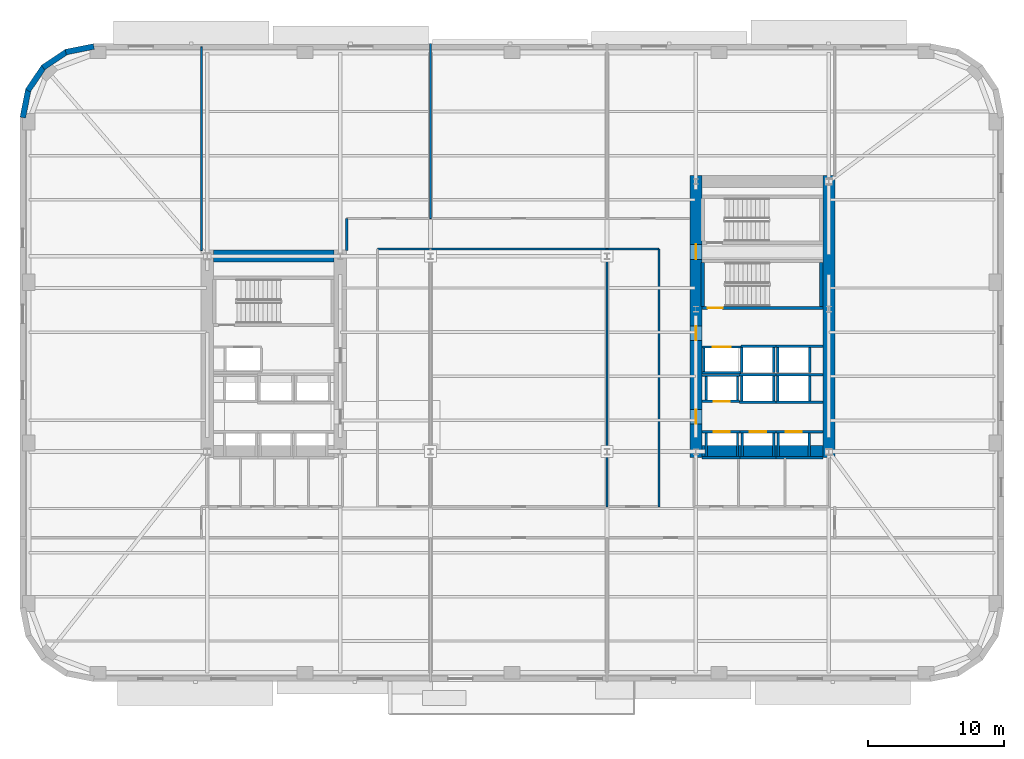
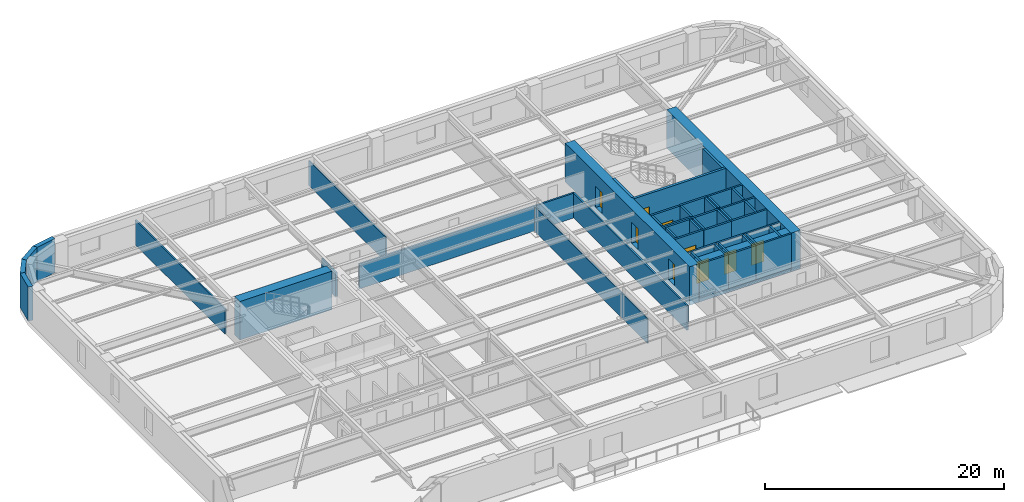
# One storey, part 6 of 15: 50 walls, 9 doors, 9 openings.
"""IFC4 building model written with IfcOpenShell, lengths in metres."""

from ifc_helpers import new_model, si_unit, direction, frame, frame_2d, origin, place, context, subcontext, project, spatial, rectangle, extrude, material, layer, layer_set, type_object, element, fill, save


model = new_model("IFC4")

# Units and contexts
model_context = context("Model", 3, precision=1e-05, world=origin(), true_north=direction((0.0, 1.0)))
body_context = subcontext(model_context, "Body", "Model", "MODEL_VIEW")
ifc_project = project(units=[si_unit("LENGTHUNIT", "METRE"), si_unit("AREAUNIT", "SQUARE_METRE"), si_unit("VOLUMEUNIT", "CUBIC_METRE"), si_unit("PLANEANGLEUNIT", "RADIAN"), si_unit("MASSUNIT", "GRAM", prefix="KILO")], contexts=[model_context])

# Site, building, storey
site_placement = place(None, origin())
site = spatial("IfcSite", under=ifc_project, at=site_placement, CompositionType="ELEMENT")
building_placement = place(site_placement, origin())
building = spatial("IfcBuilding", under=site, at=building_placement, Name="Kolvaren Arena Tower", CompositionType="ELEMENT")
storey_placement = place(building_placement, frame((0.0, 0.0, 42.0)))
storey = spatial("IfcBuildingStorey", under=building, at=storey_placement, Name="L07", CompositionType="ELEMENT", Elevation=42.0)

# Walls
ifc_material_1 = material(Name="Gypsum board acoustic assembly", Category="gypsum")
ifc_layer_1 = layer(ifc_material_1, 0.159912109375)
ifc_layer_set_1 = layer_set([ifc_layer_1], Name="Gypsum board acoustic assembly")
wall_type_1 = type_object("IfcWallType", Name="CORR-160", PredefinedType="PARTITIONING", material=ifc_layer_set_1)
wall_1_placement = place(storey_placement, frame((24.820068359375, 34.25, 0.0), z_axis=(0.0, 0.0, 1.0), x_axis=(0.0, 1.0, 0.0)))
element("IfcWall", 1, at=wall_1_placement, inside=storey, type_object=wall_type_1, Name="Interior Partition Wall (L07)", PredefinedType="PARTITIONING", context=body_context, shape_type="SweptSolid", body=[
    extrude(rectangle(XDim=2.3701171875, YDim=0.159912109375, at=frame_2d((1.18505859375, 0.0))), origin(), (0.0, 0.0, 1.0), 2.5400390625),
])
wall_2_placement = place(storey_placement, frame((27.080078125, 34.3798828125, 0.0), z_axis=(0.0, 0.0, 1.0), x_axis=(1.0, 0.0, 0.0)))
element("IfcWall", 2, at=wall_2_placement, inside=storey, type_object=wall_type_1, Name="Interior Partition Wall (L07)", PredefinedType="PARTITIONING", context=body_context, shape_type="SweptSolid", body=[
    extrude(rectangle(XDim=20.739990234375, YDim=0.159912109375, at=frame_2d((10.3701171875, 0.0))), origin(), (0.0, 0.0, 1.0), 2.5400390625),
])
wall_3_placement = place(storey_placement, frame((47.820068359375, 15.3798828125, 0.0), z_axis=(0.0, 0.0, 1.0), x_axis=(0.0, 1.0, 0.0)))
element("IfcWall", 3, at=wall_3_placement, inside=storey, type_object=wall_type_1, Name="Interior Partition Wall (L07)", PredefinedType="PARTITIONING", context=body_context, shape_type="SweptSolid", body=[
    extrude(rectangle(XDim=19.0, YDim=0.159912109375, at=frame_2d((9.5, 0.0))), origin(), (0.0, 0.0, 1.0), 2.5400390625),
])
ifc_material_2 = material(Name="Concrete 80 MPa", Category="concrete")
ifc_layer_2 = layer(ifc_material_2, 0.89990234375)
ifc_layer_set_2 = layer_set([ifc_layer_2], Name="Concrete 80 MPa")
wall_type_2 = type_object("IfcWallType", Name="CWALL-900", PredefinedType="SHEAR", material=ifc_layer_set_2)
wall_4_placement = place(storey_placement, frame((15.0, 33.85009765625, -0.449951171875), z_axis=(0.0, 0.0, 1.0), x_axis=(1.0, 0.0, 0.0)))
element("IfcWall", 4, at=wall_4_placement, inside=storey, type_object=wall_type_2, Name="Core Shear Wall WC-NORTH (L07)", PredefinedType="SHEAR", context=body_context, shape_type="SweptSolid", body=[
    extrude(rectangle(XDim=8.89990234375, YDim=0.89990234375, at=frame_2d((4.449951171875, 0.0))), origin(), (0.0, 0.0, 1.0), 3.929931640625),
])

# Wall, openings, doors
wall_5_placement = place(storey_placement, frame((50.550048828125, 19.0, -0.449951171875), z_axis=(0.0, 0.0, 1.0), x_axis=(0.0, 1.0, 0.0)))
wall_5 = element("IfcWall", 5, at=wall_5_placement, inside=storey, type_object=wall_type_2, Name="Core Shear Wall EC-WEST (L07)", PredefinedType="SHEAR", context=body_context, shape_type="SweptSolid", body=[
    extrude(rectangle(XDim=20.800048828125, YDim=0.89990234375, at=frame_2d((10.39990234375, 0.0))), origin(), (0.0, 0.0, 1.0), 3.929931640625),
])
opening_1_placement = place(wall_5_placement, frame((2.5, 0.0, 0.449951171875)))
opening_1 = element("IfcOpeningElement", 6, at=opening_1_placement, cuts=wall_5, Name="Opening D04", PredefinedType="OPENING", context=body_context, shape_type="SweptSolid", body=[
    extrude(rectangle(XDim=1.050048828125, YDim=2.14990234375, at=frame_2d((0.52490234375, 1.074951171875))), frame((0.0, 0.4599609375, 0.0), z_axis=(0.0, -1.0, 0.0), x_axis=(1.0, 0.0, 0.0)), (0.0, 0.0, 1.0), 0.919921875),
])
opening_2_placement = place(wall_5_placement, frame((8.64990234375, 0.0, 0.449951171875)))
opening_2 = element("IfcOpeningElement", 7, at=opening_2_placement, cuts=wall_5, Name="Opening D04", PredefinedType="OPENING", context=body_context, shape_type="SweptSolid", body=[
    extrude(rectangle(XDim=1.050048828125, YDim=2.14990234375, at=frame_2d((0.52490234375, 1.074951171875))), frame((0.0, 0.4599609375, 0.0), z_axis=(0.0, -1.0, 0.0), x_axis=(1.0, 0.0, 0.0)), (0.0, 0.0, 1.0), 0.919921875),
])
opening_3_placement = place(wall_5_placement, frame((14.6201171875, 0.0, 0.449951171875)))
opening_3 = element("IfcOpeningElement", 8, at=opening_3_placement, cuts=wall_5, Name="Opening D03", PredefinedType="OPENING", context=body_context, shape_type="SweptSolid", body=[
    extrude(rectangle(XDim=1.10009765625, YDim=2.14990234375, at=frame_2d((0.550048828125, 1.074951171875))), frame((0.0, 0.4599609375, 0.0), z_axis=(0.0, -1.0, 0.0), x_axis=(1.0, 0.0, 0.0)), (0.0, 0.0, 1.0), 0.919921875),
])
ifc_material_3 = material(Name="Fire-rated steel lobby door", Category="steel")
door_type_1 = type_object("IfcDoorType", Name="DOOR-FF-105", OperationType="NOTDEFINED", PredefinedType="DOOR", material=ifc_material_3)
door_1_placement = place(opening_1_placement, origin())
door_1 = element("IfcDoor", 9, at=door_1_placement, inside=storey, type_object=door_type_1, Name="East Lift Lobby Fire Door (L07)", OperationType="SINGLE_SWING_RIGHT", OverallHeight=2.14990234375, OverallWidth=1.050048828125, PredefinedType="DOOR", context=body_context, shape_type="SweptSolid", body=[
    extrude(rectangle(XDim=1.050048828125, YDim=2.14990234375, at=frame_2d((0.52490234375, 1.074951171875))), frame((0.0, 0.02490234375, 0.0), z_axis=(0.0, -1.0, 0.0), x_axis=(1.0, 0.0, 0.0)), (0.0, 0.0, 1.0), 0.050048828125),
])
fill(opening_1, door_1)
door_2_placement = place(opening_2_placement, origin())
door_2 = element("IfcDoor", 10, at=door_2_placement, inside=storey, type_object=door_type_1, Name="East Firefighter Vestibule Door (L07)", OperationType="SINGLE_SWING_LEFT", OverallHeight=2.14990234375, OverallWidth=1.050048828125, PredefinedType="DOOR", context=body_context, shape_type="SweptSolid", body=[
    extrude(rectangle(XDim=1.050048828125, YDim=2.14990234375, at=frame_2d((0.52490234375, 1.074951171875))), frame((0.0, 0.02490234375, 0.0), z_axis=(0.0, -1.0, 0.0), x_axis=(1.0, 0.0, 0.0)), (0.0, 0.0, 1.0), 0.050048828125),
])
fill(opening_2, door_2)
ifc_material_4 = material(Name="Fire-rated steel exit stair door", Category="steel")
door_type_2 = type_object("IfcDoorType", Name="DOOR-ST-110", OperationType="NOTDEFINED", PredefinedType="DOOR", material=ifc_material_4)
door_3_placement = place(opening_3_placement, origin())
door_3 = element("IfcDoor", 11, at=door_3_placement, inside=storey, type_object=door_type_2, Name="Stair ST-E2 Vestibule Fire Door (L07)", OperationType="SINGLE_SWING_LEFT", OverallHeight=2.14990234375, OverallWidth=1.10009765625, PredefinedType="DOOR", context=body_context, shape_type="SweptSolid", body=[
    extrude(rectangle(XDim=1.10009765625, YDim=2.14990234375, at=frame_2d((0.550048828125, 1.074951171875))), frame((0.0, 0.02490234375, 0.0), z_axis=(0.0, -1.0, 0.0), x_axis=(1.0, 0.0, 0.0)), (0.0, 0.0, 1.0), 0.050048828125),
])
fill(opening_3, door_3)

# Walls
wall_6_placement = place(storey_placement, frame((60.35009765625, 19.0, -0.449951171875), z_axis=(0.0, 0.0, 1.0), x_axis=(0.0, 1.0, 0.0)))
element("IfcWall", 12, at=wall_6_placement, inside=storey, type_object=wall_type_2, Name="Core Shear Wall EC-EAST (L07)", PredefinedType="SHEAR", context=body_context, shape_type="SweptSolid", body=[
    extrude(rectangle(XDim=20.800048828125, YDim=0.89990234375, at=frame_2d((10.39990234375, 0.0))), origin(), (0.0, 0.0, 1.0), 3.929931640625),
])
wall_7_placement = place(storey_placement, frame((51.0, 19.449951171875, -0.449951171875), z_axis=(0.0, 0.0, 1.0), x_axis=(1.0, 0.0, 0.0)))
element("IfcWall", 13, at=wall_7_placement, inside=storey, type_object=wall_type_2, Name="Core Shear Wall EC-SOUTH (L07)", PredefinedType="SHEAR", context=body_context, shape_type="SweptSolid", body=[
    extrude(rectangle(XDim=8.89990234375, YDim=0.89990234375, at=frame_2d((4.449951171875, 0.0))), origin(), (0.0, 0.0, 1.0), 3.929931640625),
])
ifc_material_5 = material(Name="Precast concrete C50/60", Category="concrete")
ifc_layer_3 = layer(ifc_material_5, 0.419921875)
ifc_layer_set_3 = layer_set([ifc_layer_3], Name="Precast concrete C50/60")
wall_type_3 = type_object("IfcWallType", Name="EXT-PIER1", PredefinedType="SOLIDWALL", material=ifc_layer_set_3)
for number, where, z_axis, x_axis, name in (
    (14, (4.12451171875, 48.8828125, 0.0), (0.0, 0.0, 1.0), (0.9807762837, 0.195135546048, 0.0), "Exterior Precast Masonry-Frame Wall (L07)"),
    (15, (2.4482421875, 47.743896484375, 0.0), (0.0, 0.0, 1.0), (0.831515102434, 0.555502146192, 0.0), "Exterior Precast Masonry-Frame Wall (L07)"),
    (16, (1.335693359375, 46.0498046875, 0.0), (0.0, 0.0, 1.0), (0.555502146192, 0.831515102434, 0.0), "Exterior Precast Masonry-Frame Wall (L07)"),
    (17, (0.9560546875, 44.05908203125, 0.0), (0.0, 0.0, 1.0), (0.195135546048, 0.9807762837, 0.0), "Exterior Precast Masonry-Frame Wall (L07)"),
):
    element("IfcWall", number, at=place(storey_placement, frame(where, z_axis=z_axis, x_axis=x_axis)), inside=storey, type_object=wall_type_3, Name=name, PredefinedType="SOLIDWALL", context=body_context, shape_type="SweptSolid", body=[
        extrude(rectangle(XDim=2.10693359375, YDim=0.419921875, at=frame_2d((1.053466796875, 0.0))), origin(), (0.0, 0.0, 1.0), 3.47998046875),
    ])
ifc_material_6 = material(Name="Gypsum board partition assembly", Category="gypsum")
ifc_layer_4 = layer(ifc_material_6, 0.114990234375)
ifc_layer_set_4 = layer_set([ifc_layer_4], Name="Gypsum board partition assembly")
wall_type_4 = type_object("IfcWallType", Name="PART-115", PredefinedType="PARTITIONING", material=ifc_layer_set_4)
wall_8_placement = place(storey_placement, frame((44.0, 15.3798828125, 0.0), z_axis=(0.0, 0.0, 1.0), x_axis=(0.0, 1.0, 0.0)))
element("IfcWall", 18, at=wall_8_placement, inside=storey, type_object=wall_type_4, Name="Interior Partition Wall (L07)", PredefinedType="PARTITIONING", context=body_context, shape_type="SweptSolid", body=[
    extrude(rectangle(XDim=19.0, YDim=0.114990234375, at=frame_2d((9.5, 0.0))), origin(), (0.0, 0.0, 1.0), 2.5400390625),
])
ifc_layer_5 = layer(ifc_material_6, 0.135009765625)
ifc_layer_set_5 = layer_set([ifc_layer_5], Name="Gypsum board partition assembly")
wall_type_5 = type_object("IfcWallType", Name="PART-135", PredefinedType="PARTITIONING", material=ifc_layer_set_5)
wall_9_placement = place(storey_placement, frame((31.0, 36.6201171875, 0.0), z_axis=(0.0, 0.0, 1.0), x_axis=(0.0, 1.0, 0.0)))
element("IfcWall", 19, at=wall_9_placement, inside=storey, type_object=wall_type_5, Name="Interior Partition Wall (L07)", PredefinedType="PARTITIONING", context=body_context, shape_type="SweptSolid", body=[
    extrude(rectangle(XDim=12.8798828125, YDim=0.135009765625, at=frame_2d((6.43994140625, 0.0))), origin(), (0.0, 0.0, 1.0), 2.5400390625),
])
wall_10_placement = place(storey_placement, frame((14.1201171875, 34.25, 0.0), z_axis=(0.0, 0.0, 1.0), x_axis=(0.0, 1.0, 0.0)))
element("IfcWall", 20, at=wall_10_placement, inside=storey, type_object=wall_type_5, Name="Interior Partition Wall (L07)", PredefinedType="PARTITIONING", context=body_context, shape_type="SweptSolid", body=[
    extrude(rectangle(XDim=15.010009765625, YDim=0.135009765625, at=frame_2d((7.5048828125, 0.0))), origin(), (0.0, 0.0, 1.0), 2.5400390625),
])

# Wall, opening, door
ifc_material_7 = material(Name="Concrete 45 MPa", Category="concrete")
ifc_layer_6 = layer(ifc_material_7, 0.25)
ifc_layer_set_6 = layer_set([ifc_layer_6], Name="Concrete 45 MPa")
wall_type_6 = type_object("IfcWallType", Name="SHAFT-250", PredefinedType="SOLIDWALL", material=ifc_layer_set_6)
wall_11_placement = place(storey_placement, frame((59.89990234375, 30.030029296875, 0.0), z_axis=(0.0, 0.0, 1.0), x_axis=(-1.0, 0.0, 0.0)))
wall_11 = element("IfcWall", 21, at=wall_11_placement, inside=storey, type_object=wall_type_6, Name="Core Shaft Wall (L07)", PredefinedType="SOLIDWALL", context=body_context, shape_type="SweptSolid", body=[
    extrude(rectangle(XDim=8.89990234375, YDim=0.239990234375, at=frame_2d((4.449951171875, 0.0))), origin(), (0.0, 0.0, 1.0), 3.47998046875),
])
opening_4_placement = place(wall_11_placement, frame((7.3798828125, 0.0, 0.0)))
opening_4 = element("IfcOpeningElement", 22, at=opening_4_placement, cuts=wall_11, Name="Opening D03", PredefinedType="OPENING", context=body_context, shape_type="SweptSolid", body=[
    extrude(rectangle(XDim=1.10009765625, YDim=2.14990234375, at=frame_2d((0.550048828125, 1.074951171875))), frame((0.0, 0.1298828125, 0.0), z_axis=(0.0, -1.0, 0.0), x_axis=(1.0, 0.0, 0.0)), (0.0, 0.0, 1.0), 0.260009765625),
])
door_4_placement = place(opening_4_placement, origin())
door_4 = element("IfcDoor", 23, at=door_4_placement, inside=storey, type_object=door_type_2, Name="Stair ST-E1 Fire Door (L07)", OperationType="SINGLE_SWING_LEFT", OverallHeight=2.14990234375, OverallWidth=1.10009765625, PredefinedType="DOOR", context=body_context, shape_type="SweptSolid", body=[
    extrude(rectangle(XDim=1.10009765625, YDim=2.14990234375, at=frame_2d((0.550048828125, 1.074951171875))), frame((0.0, 0.02490234375, 0.0), z_axis=(0.0, -1.0, 0.0), x_axis=(1.0, 0.0, 0.0)), (0.0, 0.0, 1.0), 0.050048828125),
])
fill(opening_4, door_4)

# Walls
for number, where, z_axis, x_axis, name in (
    (24, (51.06005859375, 30.14990234375, 0.0), (0.0, 0.0, 1.0), (0.0, 1.0, 0.0), "Core Shaft Wall (L07)"),
    (25, (59.780029296875, 30.14990234375, 0.0), (0.0, 0.0, 1.0), (0.0, 1.0, 0.0), "Core Shaft Wall (L07)"),
):
    element("IfcWall", number, at=place(storey_placement, frame(where, z_axis=z_axis, x_axis=x_axis)), inside=storey, type_object=wall_type_6, Name=name, PredefinedType="SOLIDWALL", context=body_context, shape_type="SweptSolid", body=[
        extrude(rectangle(XDim=3.22998046875, YDim=0.239990234375, at=frame_2d((1.614990234375, 0.0))), origin(), (0.0, 0.0, 1.0), 3.47998046875),
    ])

# Wall, opening, door
wall_12_placement = place(storey_placement, frame((51.0, 20.905029296875, 0.0), z_axis=(0.0, 0.0, 1.0), x_axis=(1.0, 0.0, 0.0)))
wall_12 = element("IfcWall", 26, at=wall_12_placement, inside=storey, type_object=wall_type_6, Name="Core Shaft Wall (L07)", PredefinedType="SOLIDWALL", context=body_context, shape_type="SweptSolid", body=[
    extrude(rectangle(XDim=2.7900390625, YDim=0.179931640625, at=frame_2d((1.39501953125, 0.0))), origin(), (0.0, 0.0, 1.0), 3.47998046875),
])
opening_5_placement = place(wall_12_placement, frame((0.860107421875, 0.0, 0.0)))
opening_5 = element("IfcOpeningElement", 27, at=opening_5_placement, cuts=wall_12, Name="Opening LD1", PredefinedType="OPENING", context=body_context, shape_type="SweptSolid", body=[
    extrude(rectangle(XDim=1.199951171875, YDim=2.199951171875, at=frame_2d((0.60009765625, 1.10009765625))), frame((0.0, 0.099853515625, 0.0), z_axis=(0.0, -1.0, 0.0), x_axis=(1.0, 0.0, 0.0)), (0.0, 0.0, 1.0), 0.199951171875),
])
ifc_material_8 = material(Name="Stainless steel passenger lift landing door", Category="steel")
door_type_3 = type_object("IfcDoorType", Name="DOOR-LD-120", OperationType="DOUBLE_DOOR_SLIDING", PredefinedType="DOOR", material=ifc_material_8)
door_5_placement = place(opening_5_placement, origin())
door_5 = element("IfcDoor", 28, at=door_5_placement, inside=storey, type_object=door_type_3, Name="Lift EL-LR1 Landing Door (L07)", OperationType="DOUBLE_DOOR_SLIDING", OverallHeight=2.199951171875, OverallWidth=1.199951171875, PredefinedType="DOOR", context=body_context, shape_type="SweptSolid", body=[
    extrude(rectangle(XDim=1.199951171875, YDim=2.199951171875, at=frame_2d((0.60009765625, 1.10009765625))), frame((0.0, 0.02490234375, 0.0), z_axis=(0.0, -1.0, 0.0), x_axis=(1.0, 0.0, 0.0)), (0.0, 0.0, 1.0), 0.050048828125),
])
fill(opening_5, door_5)

# Walls
wall_13_placement = place(storey_placement, frame((51.0, 18.9951171875, 0.0), z_axis=(0.0, 0.0, 1.0), x_axis=(1.0, 0.0, 0.0)))
element("IfcWall", 29, at=wall_13_placement, inside=storey, type_object=wall_type_6, Name="Core Shaft Wall (L07)", PredefinedType="SOLIDWALL", context=body_context, shape_type="SweptSolid", body=[
    extrude(rectangle(XDim=2.7900390625, YDim=0.179931640625, at=frame_2d((1.39501953125, 0.0))), origin(), (0.0, 0.0, 1.0), 3.47998046875),
])
for number, where, z_axis, x_axis, name in (
    (30, (51.304931640625, 19.0849609375, 0.0), (0.0, 0.0, 1.0), (0.0, 1.0, 0.0), "Core Shaft Wall (L07)"),
    (31, (53.614990234375, 19.0849609375, 0.0), (0.0, 0.0, 1.0), (0.0, 1.0, 0.0), "Core Shaft Wall (L07)"),
):
    element("IfcWall", number, at=place(storey_placement, frame(where, z_axis=z_axis, x_axis=x_axis)), inside=storey, type_object=wall_type_6, Name=name, PredefinedType="SOLIDWALL", context=body_context, shape_type="SweptSolid", body=[
        extrude(rectangle(XDim=1.72998046875, YDim=0.179931640625, at=frame_2d((0.864990234375, 0.0))), origin(), (0.0, 0.0, 1.0), 3.47998046875),
    ])

# Wall, opening, door
wall_14_placement = place(storey_placement, frame((53.7900390625, 20.905029296875, 0.0), z_axis=(0.0, 0.0, 1.0), x_axis=(1.0, 0.0, 0.0)))
wall_14 = element("IfcWall", 32, at=wall_14_placement, inside=storey, type_object=wall_type_6, Name="Core Shaft Wall (L07)", PredefinedType="SOLIDWALL", context=body_context, shape_type="SweptSolid", body=[
    extrude(rectangle(XDim=2.64990234375, YDim=0.179931640625, at=frame_2d((1.324951171875, 0.0))), origin(), (0.0, 0.0, 1.0), 3.47998046875),
])
opening_6_placement = place(wall_14_placement, frame((0.72998046875, 0.0, 0.0)))
opening_6 = element("IfcOpeningElement", 33, at=opening_6_placement, cuts=wall_14, Name="Opening LD1", PredefinedType="OPENING", context=body_context, shape_type="SweptSolid", body=[
    extrude(rectangle(XDim=1.199951171875, YDim=2.199951171875, at=frame_2d((0.60009765625, 1.10009765625))), frame((0.0, 0.099853515625, 0.0), z_axis=(0.0, -1.0, 0.0), x_axis=(1.0, 0.0, 0.0)), (0.0, 0.0, 1.0), 0.199951171875),
])
door_6_placement = place(opening_6_placement, origin())
door_6 = element("IfcDoor", 34, at=door_6_placement, inside=storey, type_object=door_type_3, Name="Lift EL-LR2 Landing Door (L07)", OperationType="DOUBLE_DOOR_SLIDING", OverallHeight=2.199951171875, OverallWidth=1.199951171875, PredefinedType="DOOR", context=body_context, shape_type="SweptSolid", body=[
    extrude(rectangle(XDim=1.199951171875, YDim=2.199951171875, at=frame_2d((0.60009765625, 1.10009765625))), frame((0.0, 0.02490234375, 0.0), z_axis=(0.0, -1.0, 0.0), x_axis=(1.0, 0.0, 0.0)), (0.0, 0.0, 1.0), 0.050048828125),
])
fill(opening_6, door_6)

# Walls
wall_15_placement = place(storey_placement, frame((53.7900390625, 18.9951171875, 0.0), z_axis=(0.0, 0.0, 1.0), x_axis=(1.0, 0.0, 0.0)))
element("IfcWall", 35, at=wall_15_placement, inside=storey, type_object=wall_type_6, Name="Core Shaft Wall (L07)", PredefinedType="SOLIDWALL", context=body_context, shape_type="SweptSolid", body=[
    extrude(rectangle(XDim=2.64990234375, YDim=0.179931640625, at=frame_2d((1.324951171875, 0.0))), origin(), (0.0, 0.0, 1.0), 3.47998046875),
])
for number, where, z_axis, x_axis, name in (
    (36, (53.965087890625, 19.0849609375, 0.0), (0.0, 0.0, 1.0), (0.0, 1.0, 0.0), "Core Shaft Wall (L07)"),
    (37, (56.27490234375, 19.0849609375, 0.0), (0.0, 0.0, 1.0), (0.0, 1.0, 0.0), "Core Shaft Wall (L07)"),
):
    element("IfcWall", number, at=place(storey_placement, frame(where, z_axis=z_axis, x_axis=x_axis)), inside=storey, type_object=wall_type_6, Name=name, PredefinedType="SOLIDWALL", context=body_context, shape_type="SweptSolid", body=[
        extrude(rectangle(XDim=1.72998046875, YDim=0.179931640625, at=frame_2d((0.864990234375, 0.0))), origin(), (0.0, 0.0, 1.0), 3.47998046875),
    ])

# Wall, opening, door
wall_16_placement = place(storey_placement, frame((56.43994140625, 20.905029296875, 0.0), z_axis=(0.0, 0.0, 1.0), x_axis=(1.0, 0.0, 0.0)))
wall_16 = element("IfcWall", 38, at=wall_16_placement, inside=storey, type_object=wall_type_6, Name="Core Shaft Wall (L07)", PredefinedType="SOLIDWALL", context=body_context, shape_type="SweptSolid", body=[
    extrude(rectangle(XDim=3.4599609375, YDim=0.179931640625, at=frame_2d((1.72998046875, 0.0))), origin(), (0.0, 0.0, 1.0), 3.47998046875),
])
opening_7_placement = place(wall_16_placement, frame((0.719970703125, 0.0, 0.0)))
opening_7 = element("IfcOpeningElement", 39, at=opening_7_placement, cuts=wall_16, Name="Opening LD1", PredefinedType="OPENING", context=body_context, shape_type="SweptSolid", body=[
    extrude(rectangle(XDim=1.199951171875, YDim=2.199951171875, at=frame_2d((0.60009765625, 1.10009765625))), frame((0.0, 0.099853515625, 0.0), z_axis=(0.0, -1.0, 0.0), x_axis=(1.0, 0.0, 0.0)), (0.0, 0.0, 1.0), 0.199951171875),
])
door_7_placement = place(opening_7_placement, origin())
door_7 = element("IfcDoor", 40, at=door_7_placement, inside=storey, type_object=door_type_3, Name="Lift EL-LR3 Landing Door (L07)", OperationType="DOUBLE_DOOR_SLIDING", OverallHeight=2.199951171875, OverallWidth=1.199951171875, PredefinedType="DOOR", context=body_context, shape_type="SweptSolid", body=[
    extrude(rectangle(XDim=1.199951171875, YDim=2.199951171875, at=frame_2d((0.60009765625, 1.10009765625))), frame((0.0, 0.02490234375, 0.0), z_axis=(0.0, -1.0, 0.0), x_axis=(1.0, 0.0, 0.0)), (0.0, 0.0, 1.0), 0.050048828125),
])
fill(opening_7, door_7)

# Walls
wall_17_placement = place(storey_placement, frame((56.43994140625, 18.9951171875, 0.0), z_axis=(0.0, 0.0, 1.0), x_axis=(1.0, 0.0, 0.0)))
element("IfcWall", 41, at=wall_17_placement, inside=storey, type_object=wall_type_6, Name="Core Shaft Wall (L07)", PredefinedType="SOLIDWALL", context=body_context, shape_type="SweptSolid", body=[
    extrude(rectangle(XDim=3.4599609375, YDim=0.179931640625, at=frame_2d((1.72998046875, 0.0))), origin(), (0.0, 0.0, 1.0), 3.47998046875),
])
for number, where, z_axis, x_axis, name in (
    (42, (56.60498046875, 19.0849609375, 0.0), (0.0, 0.0, 1.0), (0.0, 1.0, 0.0), "Core Shaft Wall (L07)"),
    (43, (58.9150390625, 19.0849609375, 0.0), (0.0, 0.0, 1.0), (0.0, 1.0, 0.0), "Core Shaft Wall (L07)"),
):
    element("IfcWall", number, at=place(storey_placement, frame(where, z_axis=z_axis, x_axis=x_axis)), inside=storey, type_object=wall_type_6, Name=name, PredefinedType="SOLIDWALL", context=body_context, shape_type="SweptSolid", body=[
        extrude(rectangle(XDim=1.72998046875, YDim=0.179931640625, at=frame_2d((0.864990234375, 0.0))), origin(), (0.0, 0.0, 1.0), 3.47998046875),
    ])
wall_18_placement = place(storey_placement, frame((51.0, 25.054931640625, 0.0), z_axis=(0.0, 0.0, 1.0), x_axis=(1.0, 0.0, 0.0)))
element("IfcWall", 44, at=wall_18_placement, inside=storey, type_object=wall_type_6, Name="Core Shaft Wall (L07)", PredefinedType="SOLIDWALL", context=body_context, shape_type="SweptSolid", body=[
    extrude(rectangle(XDim=2.777587890625, YDim=0.179931640625, at=frame_2d((1.388671875, 0.0))), origin(), (0.0, 0.0, 1.0), 3.47998046875),
])

# Wall, opening, door
wall_19_placement = place(storey_placement, frame((51.0, 23.14501953125, 0.0), z_axis=(0.0, 0.0, 1.0), x_axis=(1.0, 0.0, 0.0)))
wall_19 = element("IfcWall", 45, at=wall_19_placement, inside=storey, type_object=wall_type_6, Name="Core Shaft Wall (L07)", PredefinedType="SOLIDWALL", context=body_context, shape_type="SweptSolid", body=[
    extrude(rectangle(XDim=2.777587890625, YDim=0.179931640625, at=frame_2d((1.388671875, 0.0))), origin(), (0.0, 0.0, 1.0), 3.47998046875),
])
opening_8_placement = place(wall_19_placement, frame((0.860107421875, 0.0, 0.0)))
opening_8 = element("IfcOpeningElement", 46, at=opening_8_placement, cuts=wall_19, Name="Opening LD1", PredefinedType="OPENING", context=body_context, shape_type="SweptSolid", body=[
    extrude(rectangle(XDim=1.199951171875, YDim=2.199951171875, at=frame_2d((0.60009765625, 1.10009765625))), frame((0.0, 0.099853515625, 0.0), z_axis=(0.0, -1.0, 0.0), x_axis=(1.0, 0.0, 0.0)), (0.0, 0.0, 1.0), 0.199951171875),
])
door_8_placement = place(opening_8_placement, origin())
door_8 = element("IfcDoor", 47, at=door_8_placement, inside=storey, type_object=door_type_3, Name="Lift EL-LR4 Landing Door (L07)", OperationType="DOUBLE_DOOR_SLIDING", OverallHeight=2.199951171875, OverallWidth=1.199951171875, PredefinedType="DOOR", context=body_context, shape_type="SweptSolid", body=[
    extrude(rectangle(XDim=1.199951171875, YDim=2.199951171875, at=frame_2d((0.60009765625, 1.10009765625))), frame((0.0, 0.02490234375, 0.0), z_axis=(0.0, -1.0, 0.0), x_axis=(1.0, 0.0, 0.0)), (0.0, 0.0, 1.0), 0.050048828125),
])
fill(opening_8, door_8)

# Walls
for number, where, z_axis, x_axis, name in (
    (48, (51.304931640625, 23.235107421875, 0.0), (0.0, 0.0, 1.0), (0.0, 1.0, 0.0), "Core Shaft Wall (L07)"),
    (49, (53.614990234375, 23.235107421875, 0.0), (0.0, 0.0, 1.0), (0.0, 1.0, 0.0), "Core Shaft Wall (L07)"),
):
    element("IfcWall", number, at=place(storey_placement, frame(where, z_axis=z_axis, x_axis=x_axis)), inside=storey, type_object=wall_type_6, Name=name, PredefinedType="SOLIDWALL", context=body_context, shape_type="SweptSolid", body=[
        extrude(rectangle(XDim=1.72998046875, YDim=0.179931640625, at=frame_2d((0.864990234375, 0.0))), origin(), (0.0, 0.0, 1.0), 3.47998046875),
    ])
for number, where, z_axis, x_axis, name in (
    (50, (53.777587890625, 25.10498046875, 0.0), (0.0, 0.0, 1.0), (1.0, 0.0, 0.0), "Core Shaft Wall (L07)"),
    (51, (53.777587890625, 23.094970703125, 0.0), (0.0, 0.0, 1.0), (1.0, 0.0, 0.0), "Core Shaft Wall (L07)"),
):
    element("IfcWall", number, at=place(storey_placement, frame(where, z_axis=z_axis, x_axis=x_axis)), inside=storey, type_object=wall_type_6, Name=name, PredefinedType="SOLIDWALL", context=body_context, shape_type="SweptSolid", body=[
        extrude(rectangle(XDim=2.662353515625, YDim=0.179931640625, at=frame_2d((1.3310546875, 0.0))), origin(), (0.0, 0.0, 1.0), 3.47998046875),
    ])
for number, where, z_axis, x_axis, name in (
    (52, (53.93994140625, 23.18505859375, 0.0), (0.0, 0.0, 1.0), (0.0, 1.0, 0.0), "Core Shaft Wall (L07)"),
    (53, (56.300048828125, 23.18505859375, 0.0), (0.0, 0.0, 1.0), (0.0, 1.0, 0.0), "Core Shaft Wall (L07)"),
):
    element("IfcWall", number, at=place(storey_placement, frame(where, z_axis=z_axis, x_axis=x_axis)), inside=storey, type_object=wall_type_6, Name=name, PredefinedType="SOLIDWALL", context=body_context, shape_type="SweptSolid", body=[
        extrude(rectangle(XDim=1.829833984375, YDim=0.179931640625, at=frame_2d((0.9150390625, 0.0))), origin(), (0.0, 0.0, 1.0), 3.47998046875),
    ])
for number, where, z_axis, x_axis, name in (
    (54, (56.43994140625, 25.10498046875, 0.0), (0.0, 0.0, 1.0), (1.0, 0.0, 0.0), "Core Shaft Wall (L07)"),
    (55, (56.43994140625, 23.094970703125, 0.0), (0.0, 0.0, 1.0), (1.0, 0.0, 0.0), "Core Shaft Wall (L07)"),
):
    element("IfcWall", number, at=place(storey_placement, frame(where, z_axis=z_axis, x_axis=x_axis)), inside=storey, type_object=wall_type_6, Name=name, PredefinedType="SOLIDWALL", context=body_context, shape_type="SweptSolid", body=[
        extrude(rectangle(XDim=3.4599609375, YDim=0.179931640625, at=frame_2d((1.72998046875, 0.0))), origin(), (0.0, 0.0, 1.0), 3.47998046875),
    ])
for number, where, z_axis, x_axis, name in (
    (56, (56.580078125, 23.18505859375, 0.0), (0.0, 0.0, 1.0), (0.0, 1.0, 0.0), "Core Shaft Wall (L07)"),
    (57, (58.93994140625, 23.18505859375, 0.0), (0.0, 0.0, 1.0), (0.0, 1.0, 0.0), "Core Shaft Wall (L07)"),
):
    element("IfcWall", number, at=place(storey_placement, frame(where, z_axis=z_axis, x_axis=x_axis)), inside=storey, type_object=wall_type_6, Name=name, PredefinedType="SOLIDWALL", context=body_context, shape_type="SweptSolid", body=[
        extrude(rectangle(XDim=1.829833984375, YDim=0.179931640625, at=frame_2d((0.9150390625, 0.0))), origin(), (0.0, 0.0, 1.0), 3.47998046875),
    ])
wall_20_placement = place(storey_placement, frame((53.864990234375, 27.205078125, 0.0), z_axis=(0.0, 0.0, 1.0), x_axis=(1.0, 0.0, 0.0)))
element("IfcWall", 58, at=wall_20_placement, inside=storey, type_object=wall_type_6, Name="Core Shaft Wall (L07)", PredefinedType="SOLIDWALL", context=body_context, shape_type="SweptSolid", body=[
    extrude(rectangle(XDim=2.574951171875, YDim=0.179931640625, at=frame_2d((1.28759765625, 0.0))), origin(), (0.0, 0.0, 1.0), 3.47998046875),
])
for number, where, z_axis, x_axis, name in (
    (59, (53.93994140625, 25.284912109375, 0.0), (0.0, 0.0, 1.0), (0.0, 1.0, 0.0), "Core Shaft Wall (L07)"),
    (60, (56.300048828125, 25.284912109375, 0.0), (0.0, 0.0, 1.0), (0.0, 1.0, 0.0), "Core Shaft Wall (L07)"),
):
    element("IfcWall", number, at=place(storey_placement, frame(where, z_axis=z_axis, x_axis=x_axis)), inside=storey, type_object=wall_type_6, Name=name, PredefinedType="SOLIDWALL", context=body_context, shape_type="SweptSolid", body=[
        extrude(rectangle(XDim=1.830078125, YDim=0.179931640625, at=frame_2d((0.9150390625, 0.0))), origin(), (0.0, 0.0, 1.0), 3.47998046875),
    ])
wall_21_placement = place(storey_placement, frame((56.43994140625, 27.205078125, 0.0), z_axis=(0.0, 0.0, 1.0), x_axis=(1.0, 0.0, 0.0)))
element("IfcWall", 61, at=wall_21_placement, inside=storey, type_object=wall_type_6, Name="Core Shaft Wall (L07)", PredefinedType="SOLIDWALL", context=body_context, shape_type="SweptSolid", body=[
    extrude(rectangle(XDim=3.4599609375, YDim=0.179931640625, at=frame_2d((1.72998046875, 0.0))), origin(), (0.0, 0.0, 1.0), 3.47998046875),
])
for number, where, z_axis, x_axis, name in (
    (62, (56.580078125, 25.284912109375, 0.0), (0.0, 0.0, 1.0), (0.0, 1.0, 0.0), "Core Shaft Wall (L07)"),
    (63, (58.93994140625, 25.284912109375, 0.0), (0.0, 0.0, 1.0), (0.0, 1.0, 0.0), "Core Shaft Wall (L07)"),
):
    element("IfcWall", number, at=place(storey_placement, frame(where, z_axis=z_axis, x_axis=x_axis)), inside=storey, type_object=wall_type_6, Name=name, PredefinedType="SOLIDWALL", context=body_context, shape_type="SweptSolid", body=[
        extrude(rectangle(XDim=1.830078125, YDim=0.179931640625, at=frame_2d((0.9150390625, 0.0))), origin(), (0.0, 0.0, 1.0), 3.47998046875),
    ])

# Wall, opening, door
wall_22_placement = place(storey_placement, frame((51.0, 27.155029296875, 0.0), z_axis=(0.0, 0.0, 1.0), x_axis=(1.0, 0.0, 0.0)))
wall_22 = element("IfcWall", 64, at=wall_22_placement, inside=storey, type_object=wall_type_6, Name="Core Shaft Wall (L07)", PredefinedType="SOLIDWALL", context=body_context, shape_type="SweptSolid", body=[
    extrude(rectangle(XDim=2.864990234375, YDim=0.179931640625, at=frame_2d((1.4326171875, 0.0))), origin(), (0.0, 0.0, 1.0), 3.47998046875),
])
opening_9_placement = place(wall_22_placement, frame((0.784912109375, 0.0, 0.0)))
opening_9 = element("IfcOpeningElement", 65, at=opening_9_placement, cuts=wall_22, Name="Opening LD2", PredefinedType="OPENING", context=body_context, shape_type="SweptSolid", body=[
    extrude(rectangle(XDim=1.35009765625, YDim=2.300048828125, at=frame_2d((0.675048828125, 1.14990234375))), frame((0.0, 0.099853515625, 0.0), z_axis=(0.0, -1.0, 0.0), x_axis=(1.0, 0.0, 0.0)), (0.0, 0.0, 1.0), 0.199951171875),
])
ifc_material_9 = material(Name="Stainless steel firefighter lift landing door", Category="steel")
door_type_4 = type_object("IfcDoorType", Name="DOOR-LD-135", OperationType="DOUBLE_DOOR_SLIDING", PredefinedType="DOOR", material=ifc_material_9)
door_9_placement = place(opening_9_placement, origin())
door_9 = element("IfcDoor", 66, at=door_9_placement, inside=storey, type_object=door_type_4, Name="Firefighter Lift FF-E1 Landing Door (L07)", OperationType="DOUBLE_DOOR_SLIDING", OverallHeight=2.300048828125, OverallWidth=1.35009765625, PredefinedType="DOOR", context=body_context, shape_type="SweptSolid", body=[
    extrude(rectangle(XDim=1.35009765625, YDim=2.300048828125, at=frame_2d((0.675048828125, 1.14990234375))), frame((0.0, 0.02490234375, 0.0), z_axis=(0.0, -1.0, 0.0), x_axis=(1.0, 0.0, 0.0)), (0.0, 0.0, 1.0), 0.050048828125),
])
fill(opening_9, door_9)

# Walls
wall_23_placement = place(storey_placement, frame((51.0, 25.2451171875, 0.0), z_axis=(0.0, 0.0, 1.0), x_axis=(1.0, 0.0, 0.0)))
element("IfcWall", 67, at=wall_23_placement, inside=storey, type_object=wall_type_6, Name="Core Shaft Wall (L07)", PredefinedType="SOLIDWALL", context=body_context, shape_type="SweptSolid", body=[
    extrude(rectangle(XDim=2.864990234375, YDim=0.179931640625, at=frame_2d((1.4326171875, 0.0))), origin(), (0.0, 0.0, 1.0), 3.47998046875),
])
wall_24_placement = place(storey_placement, frame((51.1298828125, 25.3349609375, 0.0), z_axis=(0.0, 0.0, 1.0), x_axis=(0.0, 1.0, 0.0)))
element("IfcWall", 68, at=wall_24_placement, inside=storey, type_object=wall_type_6, Name="Core Shaft Wall (L07)", PredefinedType="SOLIDWALL", context=body_context, shape_type="SweptSolid", body=[
    extrude(rectangle(XDim=1.72998046875, YDim=0.179931640625, at=frame_2d((0.864990234375, 0.0))), origin(), (0.0, 0.0, 1.0), 3.47998046875),
])

save(model, "model.ifc")
